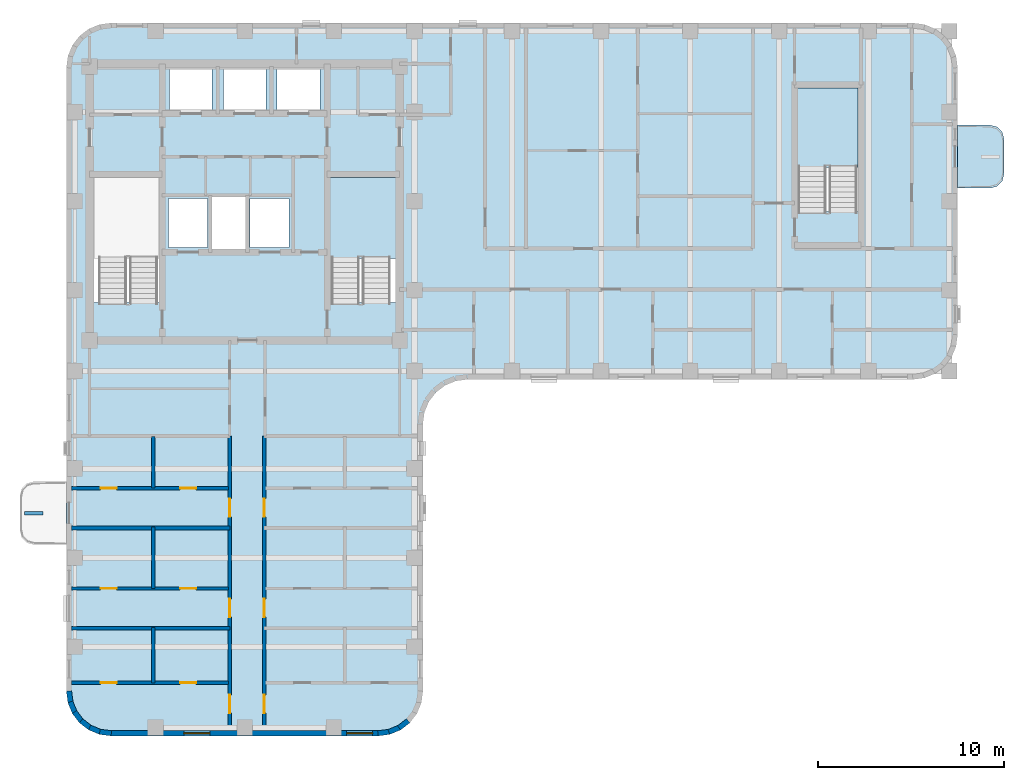
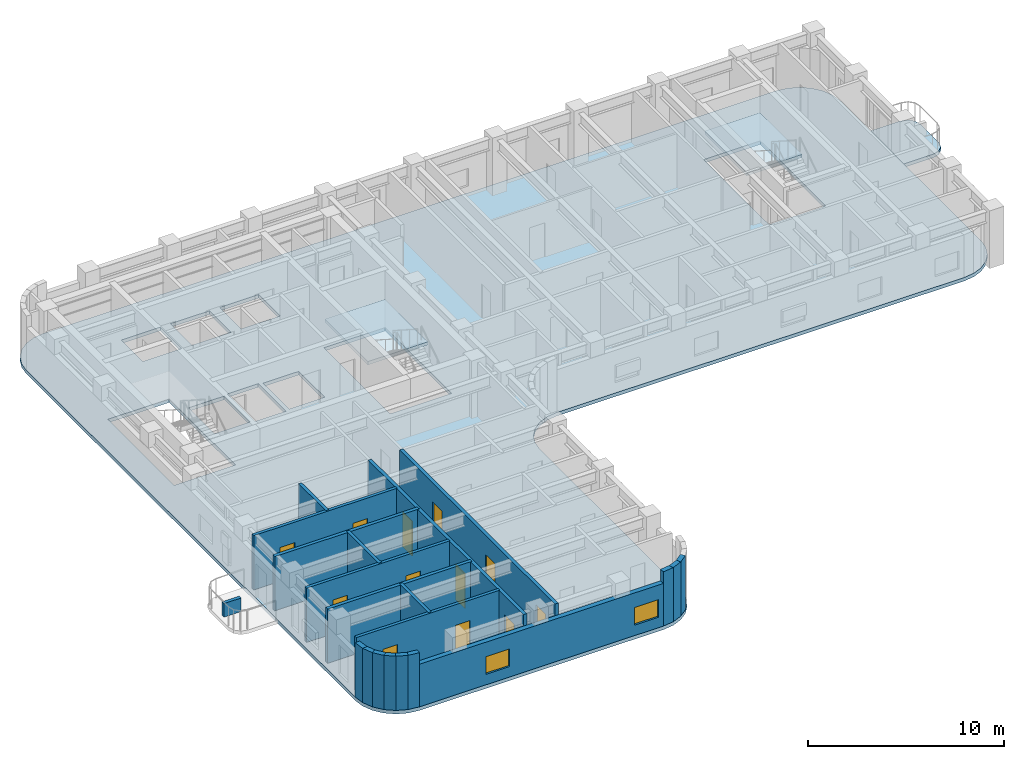
# One storey, part 2 of 10: 21 walls, 12 doors, 4 slabs, 2 windows, 14 openings, 2 elements without a shape of their own.
"""IFC4 building model written with IfcOpenShell, lengths in metres."""

from ifc_helpers import new_model, si_unit, direction, frame, frame_2d, origin, place, context, subcontext, project, spatial, polyline, rectangle, outline, extrude, material, layer, layer_set, type_object, element, fill, aggregate, save


model = new_model("IFC4")

# Units and contexts
model_context = context("Model", 3, precision=1e-05, world=origin(), true_north=direction((0.0, 1.0)))
body_context = subcontext(model_context, "Body", "Model", "MODEL_VIEW")
ifc_project = project(units=[si_unit("LENGTHUNIT", "METRE"), si_unit("AREAUNIT", "SQUARE_METRE"), si_unit("VOLUMEUNIT", "CUBIC_METRE"), si_unit("PLANEANGLEUNIT", "RADIAN"), si_unit("MASSUNIT", "GRAM", prefix="KILO")], contexts=[model_context])

# Site, building, storey
site_placement = place(None, origin())
site = spatial("IfcSite", under=ifc_project, at=site_placement, CompositionType="ELEMENT")
building_placement = place(site_placement, origin())
building = spatial("IfcBuilding", under=site, at=building_placement, Name="Orvandelia Arch Residences", CompositionType="ELEMENT")
storey_placement = place(building_placement, frame((0.0, 0.0, 211.0)))
storey = spatial("IfcBuildingStorey", under=building, at=storey_placement, Name="L55", CompositionType="ELEMENT", Elevation=211.0)

# Slab
ifc_material_1 = material(Name="Precast concrete C40/50", Category="concrete")
ifc_layer_1 = layer(ifc_material_1, 0.219970703125, Name="Precast concrete C40/50", Category="concrete")
ifc_layer_set_1 = layer_set([ifc_layer_1], Name="Precast concrete C40/50")
slab_type_1 = type_object("IfcSlabType", Name="SLB-BAL-220", PredefinedType="USERDEFINED", material=ifc_layer_set_1)
slab_1_placement = place(storey_placement, frame((0.0, 0.0, -0.219970703125)))
element("IfcSlab", 1, at=slab_1_placement, inside=storey, type_object=slab_type_1, Name="Tree Balcony Cantilever Slab BAL-L55-E1", ObjectType="BALCONY", PredefinedType="USERDEFINED", context=body_context, shape_type="SweptSolid", body=[
    extrude(outline(polyline([(52.800048828125, 42.5), (52.800048828125, 39.10009765625), (54.550048828125, 39.10009765625), (54.925048828125, 39.200439453125), (55.199462890625, 39.47509765625), (55.300048828125, 39.85009765625), (55.300048828125, 41.75), (55.199462890625, 42.125), (54.925048828125, 42.3994140625), (54.550048828125, 42.5), (52.800048828125, 42.5)])), origin(), (0.0, 0.0, 1.0), 0.219970703125),
])

# Stair, slab
ifc_material_2 = material(Name="Concrete C40/50", Category="concrete")
stair_type = type_object("IfcStairType", Name="STAIR-RC-DOGLEG", PredefinedType="HALF_TURN_STAIR", material=ifc_material_2)
stair_1_placement = place(storey_placement, origin())
stair_1 = element("IfcStair", 2, at=stair_1_placement, inside=storey, type_object=stair_type, Name="L55 Protected Exit Stair ST-2", PredefinedType="HALF_TURN_STAIR")
ifc_layer_2 = layer(ifc_material_2, 0.219970703125, Name="Concrete C40/50", Category="concrete")
ifc_layer_set_2 = layer_set([ifc_layer_2], Name="Concrete C40/50")
slab_type_2 = type_object("IfcSlabType", Name="SLB-LANDING-220", PredefinedType="LANDING", material=ifc_layer_set_2)
slab_2_placement = place(storey_placement, frame((0.0, 0.0, 1.60009765625)))
slab_2 = element("IfcSlab", 3, at=slab_2_placement, type_object=slab_type_2, Name="ST-2 landing 1", PredefinedType="LANDING", context=body_context, shape_type="SweptSolid", body=[
    extrude(outline(polyline([(22.5400390625, 35.31005859375), (22.5400390625, 39.68994140625), (19.0, 39.68994140625), (19.0, 35.31005859375), (22.5400390625, 35.31005859375)])), origin(), (0.0, 0.0, 1.0), 0.199951171875),
])
aggregate(stair_1, [slab_2])

stair_2_placement = place(storey_placement, origin())
stair_2 = element("IfcStair", 4, at=stair_2_placement, inside=storey, type_object=stair_type, Name="L55 East Wing Exit Stair ST-3", PredefinedType="HALF_TURN_STAIR")
slab_3_placement = place(storey_placement, frame((0.0, 0.0, 1.60009765625)))
slab_3 = element("IfcSlab", 5, at=slab_3_placement, type_object=slab_type_2, Name="ST-3 landing 1", PredefinedType="LANDING", context=body_context, shape_type="SweptSolid", body=[
    extrude(outline(polyline([(47.43994140625, 40.2099609375), (47.43994140625, 44.5), (44.179931640625, 44.5), (44.179931640625, 40.2099609375), (47.43994140625, 40.2099609375)])), origin(), (0.0, 0.0, 1.0), 0.199951171875),
])
aggregate(stair_2, [slab_3])

# Slab
ifc_layer_3 = layer(ifc_material_2, 0.219970703125, Name="Concrete C40/50", Category="concrete")
ifc_layer_set_3 = layer_set([ifc_layer_3], Name="Concrete C40/50")
slab_type_3 = type_object("IfcSlabType", Name="SLB-TWR-220", PredefinedType="FLOOR", material=ifc_layer_set_3)
slab_4_placement = place(storey_placement, frame((0.0, 0.0, -0.219970703125)))
element("IfcSlab", 6, at=slab_4_placement, inside=storey, type_object=slab_type_3, Name="Structural Floor Slab L55-1", PredefinedType="FLOOR", context=body_context, shape_type="SweptSolid", body=[
    extrude(outline(polyline([(4.800048828125, 12.0), (4.8818359375, 11.37890625), (5.12158203125, 10.800048828125), (5.5029296875, 10.302978515625), (6.0, 9.92138671875), (6.578857421875, 9.681884765625), (7.199951171875, 9.60009765625), (21.60009765625, 9.60009765625), (22.22119140625, 9.681884765625), (22.800048828125, 9.92138671875), (23.297119140625, 10.302978515625), (23.678466796875, 10.800048828125), (23.918212890625, 11.37890625), (24.0, 12.0), (24.0, 26.39990234375), (24.081787109375, 27.021240234375), (24.321533203125, 27.60009765625), (24.702880859375, 28.09716796875), (25.199951171875, 28.478515625), (25.77880859375, 28.71826171875), (26.39990234375, 28.800048828125), (50.39990234375, 28.800048828125), (51.021240234375, 28.8818359375), (51.60009765625, 29.12158203125), (52.09716796875, 29.5029296875), (52.478515625, 30.0), (52.71826171875, 30.578857421875), (52.800048828125, 31.199951171875), (52.800048828125, 45.60009765625), (52.71826171875, 46.22119140625), (52.478515625, 46.800048828125), (52.09716796875, 47.297119140625), (51.60009765625, 47.678466796875), (51.021240234375, 47.918212890625), (50.39990234375, 48.0), (7.199951171875, 48.0), (6.578857421875, 47.918212890625), (6.0, 47.678466796875), (5.5029296875, 47.297119140625), (5.12158203125, 46.800048828125), (4.8818359375, 46.22119140625), (4.800048828125, 45.60009765625), (4.800048828125, 12.0)]), holes=[polyline([(6.219970703125, 32.949951171875), (9.840087890625, 32.949951171875), (9.840087890625, 39.72998046875), (6.219970703125, 39.72998046875), (6.219970703125, 32.949951171875)]), polyline([(18.9599609375, 32.949951171875), (22.580078125, 32.949951171875), (22.580078125, 39.72998046875), (18.9599609375, 39.72998046875), (18.9599609375, 32.949951171875)]), polyline([(44.139892578125, 37.85009765625), (47.47998046875, 37.85009765625), (47.47998046875, 44.5400390625), (44.139892578125, 44.5400390625), (44.139892578125, 37.85009765625)]), polyline([(12.639892578125, 35.81005859375), (14.4599609375, 35.81005859375), (14.4599609375, 38.639892578125), (12.639892578125, 38.639892578125), (12.639892578125, 35.81005859375)]), polyline([(10.300048828125, 35.89990234375), (12.39990234375, 35.89990234375), (12.39990234375, 38.550048828125), (10.300048828125, 38.550048828125), (10.300048828125, 35.89990234375)]), polyline([(14.699951171875, 35.89990234375), (16.800048828125, 35.89990234375), (16.800048828125, 38.550048828125), (14.699951171875, 38.550048828125), (14.699951171875, 35.89990234375)]), polyline([(10.35009765625, 43.300048828125), (12.64990234375, 43.300048828125), (12.64990234375, 45.5), (10.35009765625, 45.5), (10.35009765625, 43.300048828125)]), polyline([(13.25, 43.300048828125), (15.550048828125, 43.300048828125), (15.550048828125, 45.5), (13.25, 45.5), (13.25, 43.300048828125)]), polyline([(16.14990234375, 43.300048828125), (18.449951171875, 43.300048828125), (18.449951171875, 45.5), (16.14990234375, 45.5), (16.14990234375, 43.300048828125)])]), origin(), (0.0, 0.0, 1.0), 0.219970703125),
])

# Wall, openings, doors
ifc_material_3 = material(Name="Fire-Rated Corridor Partition")
ifc_layer_4 = layer(ifc_material_3, 0.199951171875, Name="Fire-Rated Corridor Partition")
ifc_layer_set_4 = layer_set([ifc_layer_4], Name="Fire-Rated Corridor Partition")
wall_type_1 = type_object("IfcWallType", Name="WL-CORR-200", PredefinedType="PARTITIONING", material=ifc_layer_set_4)
wall_1_placement = place(storey_placement, frame((13.60009765625, 9.8798828125, 0.0), z_axis=(0.0, 0.0, 1.0), x_axis=(0.0, 1.0, 0.0)))
wall_1 = element("IfcWall", 7, at=wall_1_placement, inside=storey, type_object=wall_type_1, Name="Interior Partition Wall WL-L55-WC-W", PredefinedType="PARTITIONING", context=body_context, shape_type="SweptSolid", body=[
    extrude(rectangle(XDim=15.8701171875, YDim=0.199951171875, at=frame_2d((7.93505859375, 0.0))), origin(), (0.0, 0.0, 1.0), 3.3798828125),
])
opening_1_placement = place(wall_1_placement, frame((0.948974609375, 0.0, 0.0)))
opening_1 = element("IfcOpeningElement", 8, at=opening_1_placement, cuts=wall_1, Name="Opening D1", PredefinedType="OPENING", context=body_context, shape_type="SweptSolid", body=[
    extrude(rectangle(XDim=0.97998046875, YDim=2.179931640625, at=frame_2d((0.489990234375, 1.08984375))), frame((0.0, 0.10986328125, 0.0), z_axis=(0.0, -1.0, 0.0), x_axis=(1.0, 0.0, 0.0)), (0.0, 0.0, 1.0), 0.219970703125),
])
opening_2_placement = place(wall_1_placement, frame((6.1201171875, 0.0, 0.0)))
opening_2 = element("IfcOpeningElement", 9, at=opening_2_placement, cuts=wall_1, Name="Opening D1", PredefinedType="OPENING", context=body_context, shape_type="SweptSolid", body=[
    extrude(rectangle(XDim=0.97998046875, YDim=2.179931640625, at=frame_2d((0.489990234375, 1.08984375))), frame((0.0, 0.10986328125, 0.0), z_axis=(0.0, -1.0, 0.0), x_axis=(1.0, 0.0, 0.0)), (0.0, 0.0, 1.0), 0.219970703125),
])
opening_3_placement = place(wall_1_placement, frame((11.52001953125, 0.0, 0.0)))
opening_3 = element("IfcOpeningElement", 10, at=opening_3_placement, cuts=wall_1, Name="Opening D1", PredefinedType="OPENING", context=body_context, shape_type="SweptSolid", body=[
    extrude(rectangle(XDim=0.97998046875, YDim=2.179931640625, at=frame_2d((0.489990234375, 1.08984375))), frame((0.0, 0.10986328125, 0.0), z_axis=(0.0, -1.0, 0.0), x_axis=(1.0, 0.0, 0.0)), (0.0, 0.0, 1.0), 0.219970703125),
])
ifc_material_4 = material(Name="Solid-Core Timber Acoustic Fire Door", Category="wood")
door_type_1 = type_object("IfcDoorType", Name="DR-ENT-980", OperationType="NOTDEFINED", PredefinedType="DOOR", material=ifc_material_4)
door_1_placement = place(opening_1_placement, origin())
door_1 = element("IfcDoor", 11, at=door_1_placement, inside=storey, type_object=door_type_1, Name="Unit L55-01 Entrance Door", OperationType="SINGLE_SWING_LEFT", OverallHeight=2.179931640625, OverallWidth=0.97998046875, PredefinedType="DOOR", context=body_context, shape_type="SweptSolid", body=[
    extrude(rectangle(XDim=0.97998046875, YDim=2.179931640625, at=frame_2d((0.489990234375, 1.08984375))), frame((0.0, 0.02490234375, 0.0), z_axis=(0.0, -1.0, 0.0), x_axis=(1.0, 0.0, 0.0)), (0.0, 0.0, 1.0), 0.050048828125),
])
fill(opening_1, door_1)
door_2_placement = place(opening_2_placement, origin())
door_2 = element("IfcDoor", 12, at=door_2_placement, inside=storey, type_object=door_type_1, Name="Unit L55-02 Entrance Door", OperationType="SINGLE_SWING_RIGHT", OverallHeight=2.179931640625, OverallWidth=0.97998046875, PredefinedType="DOOR", context=body_context, shape_type="SweptSolid", body=[
    extrude(rectangle(XDim=0.97998046875, YDim=2.179931640625, at=frame_2d((0.489990234375, 1.08984375))), frame((0.0, 0.02490234375, 0.0), z_axis=(0.0, -1.0, 0.0), x_axis=(1.0, 0.0, 0.0)), (0.0, 0.0, 1.0), 0.050048828125),
])
fill(opening_2, door_2)
door_3_placement = place(opening_3_placement, origin())
door_3 = element("IfcDoor", 13, at=door_3_placement, inside=storey, type_object=door_type_1, Name="Unit L55-03 Entrance Door", OperationType="SINGLE_SWING_LEFT", OverallHeight=2.179931640625, OverallWidth=0.97998046875, PredefinedType="DOOR", context=body_context, shape_type="SweptSolid", body=[
    extrude(rectangle(XDim=0.97998046875, YDim=2.179931640625, at=frame_2d((0.489990234375, 1.08984375))), frame((0.0, 0.02490234375, 0.0), z_axis=(0.0, -1.0, 0.0), x_axis=(1.0, 0.0, 0.0)), (0.0, 0.0, 1.0), 0.050048828125),
])
fill(opening_3, door_3)

wall_2_placement = place(storey_placement, frame((15.449951171875, 9.8798828125, 0.0), z_axis=(0.0, 0.0, 1.0), x_axis=(0.0, 1.0, 0.0)))
wall_2 = element("IfcWall", 14, at=wall_2_placement, inside=storey, type_object=wall_type_1, Name="Interior Partition Wall WL-L55-WC-E", PredefinedType="PARTITIONING", context=body_context, shape_type="SweptSolid", body=[
    extrude(rectangle(XDim=15.8701171875, YDim=0.199951171875, at=frame_2d((7.93505859375, 0.0))), origin(), (0.0, 0.0, 1.0), 3.3798828125),
])
opening_4_placement = place(wall_2_placement, frame((0.948974609375, 0.0, 0.0)))
opening_4 = element("IfcOpeningElement", 15, at=opening_4_placement, cuts=wall_2, Name="Opening D1", PredefinedType="OPENING", context=body_context, shape_type="SweptSolid", body=[
    extrude(rectangle(XDim=0.97998046875, YDim=2.179931640625, at=frame_2d((0.489990234375, 1.08984375))), frame((0.0, 0.10986328125, 0.0), z_axis=(0.0, -1.0, 0.0), x_axis=(1.0, 0.0, 0.0)), (0.0, 0.0, 1.0), 0.219970703125),
])
opening_5_placement = place(wall_2_placement, frame((6.1201171875, 0.0, 0.0)))
opening_5 = element("IfcOpeningElement", 16, at=opening_5_placement, cuts=wall_2, Name="Opening D1", PredefinedType="OPENING", context=body_context, shape_type="SweptSolid", body=[
    extrude(rectangle(XDim=0.97998046875, YDim=2.179931640625, at=frame_2d((0.489990234375, 1.08984375))), frame((0.0, 0.10986328125, 0.0), z_axis=(0.0, -1.0, 0.0), x_axis=(1.0, 0.0, 0.0)), (0.0, 0.0, 1.0), 0.219970703125),
])
opening_6_placement = place(wall_2_placement, frame((11.52001953125, 0.0, 0.0)))
opening_6 = element("IfcOpeningElement", 17, at=opening_6_placement, cuts=wall_2, Name="Opening D1", PredefinedType="OPENING", context=body_context, shape_type="SweptSolid", body=[
    extrude(rectangle(XDim=0.97998046875, YDim=2.179931640625, at=frame_2d((0.489990234375, 1.08984375))), frame((0.0, 0.10986328125, 0.0), z_axis=(0.0, -1.0, 0.0), x_axis=(1.0, 0.0, 0.0)), (0.0, 0.0, 1.0), 0.219970703125),
])
door_4_placement = place(opening_4_placement, origin())
door_4 = element("IfcDoor", 18, at=door_4_placement, inside=storey, type_object=door_type_1, Name="Unit L55-04 Entrance Door", OperationType="SINGLE_SWING_RIGHT", OverallHeight=2.179931640625, OverallWidth=0.97998046875, PredefinedType="DOOR", context=body_context, shape_type="SweptSolid", body=[
    extrude(rectangle(XDim=0.97998046875, YDim=2.179931640625, at=frame_2d((0.489990234375, 1.08984375))), frame((0.0, 0.02490234375, 0.0), z_axis=(0.0, -1.0, 0.0), x_axis=(1.0, 0.0, 0.0)), (0.0, 0.0, 1.0), 0.050048828125),
])
fill(opening_4, door_4)
door_5_placement = place(opening_5_placement, origin())
door_5 = element("IfcDoor", 19, at=door_5_placement, inside=storey, type_object=door_type_1, Name="Unit L55-05 Entrance Door", OperationType="SINGLE_SWING_LEFT", OverallHeight=2.179931640625, OverallWidth=0.97998046875, PredefinedType="DOOR", context=body_context, shape_type="SweptSolid", body=[
    extrude(rectangle(XDim=0.97998046875, YDim=2.179931640625, at=frame_2d((0.489990234375, 1.08984375))), frame((0.0, 0.02490234375, 0.0), z_axis=(0.0, -1.0, 0.0), x_axis=(1.0, 0.0, 0.0)), (0.0, 0.0, 1.0), 0.050048828125),
])
fill(opening_5, door_5)
door_6_placement = place(opening_6_placement, origin())
door_6 = element("IfcDoor", 20, at=door_6_placement, inside=storey, type_object=door_type_1, Name="Unit L55-06 Entrance Door", OperationType="SINGLE_SWING_RIGHT", OverallHeight=2.179931640625, OverallWidth=0.97998046875, PredefinedType="DOOR", context=body_context, shape_type="SweptSolid", body=[
    extrude(rectangle(XDim=0.97998046875, YDim=2.179931640625, at=frame_2d((0.489990234375, 1.08984375))), frame((0.0, 0.02490234375, 0.0), z_axis=(0.0, -1.0, 0.0), x_axis=(1.0, 0.0, 0.0)), (0.0, 0.0, 1.0), 0.050048828125),
])
fill(opening_6, door_6)

# Walls
ifc_layer_5 = layer(ifc_material_2, 0.199951171875, Name="Concrete C40/50", Category="concrete")
ifc_layer_set_5 = layer_set([ifc_layer_5], Name="Concrete C40/50")
wall_type_2 = type_object("IfcWallType", Name="WL-DEM-200", PredefinedType="SOLIDWALL", material=ifc_layer_set_5)
for number, where, z_axis, x_axis, name in (
    (21, (5.080078125, 15.39990234375, 0.0), (0.0, 0.0, 1.0), (1.0, 0.0, 0.0), "Interior Partition Wall WL-L55-DEM-WL-154"),
    (22, (5.080078125, 20.800048828125, 0.0), (0.0, 0.0, 1.0), (1.0, 0.0, 0.0), "Interior Partition Wall WL-L55-DEM-WL-208"),
):
    element("IfcWall", number, at=place(storey_placement, frame(where, z_axis=z_axis, x_axis=x_axis)), inside=storey, type_object=wall_type_2, Name=name, PredefinedType="SOLIDWALL", context=body_context, shape_type="SweptSolid", body=[
        extrude(rectangle(XDim=8.52001953125, YDim=0.199951171875, at=frame_2d((4.260009765625, 0.0))), origin(), (0.0, 0.0, 1.0), 3.3798828125),
    ])
ifc_layer_6 = layer(ifc_material_1, 0.280029296875, Name="Precast concrete C40/50", Category="concrete")
ifc_layer_set_6 = layer_set([ifc_layer_6], Name="Precast concrete C40/50")
wall_type_3 = type_object("IfcWallType", Name="WL-EXT-STONE-280", PredefinedType="STANDARD", material=ifc_layer_set_6)
for number, where, z_axis, x_axis, name in (
    (23, (23.2119140625, 10.4140625, 0.0), (0.0, 0.0, 1.0), (-0.793405610854, -0.608693302629, 0.0), "Coral-Limestone Precast Facade Wall L55-032"),
    (24, (22.746337890625, 10.05078125, 0.0), (0.0, 0.0, 1.0), (-0.92389335771, -0.382650053678, 0.0), "Coral-Limestone Precast Facade Wall L55-033"),
    (25, (22.202880859375, 9.820556640625, 0.0), (0.0, 0.0, 1.0), (-0.9914410257, -0.130555323746, 0.0), "Coral-Limestone Precast Facade Wall L55-034"),
):
    element("IfcWall", number, at=place(storey_placement, frame(where, z_axis=z_axis, x_axis=x_axis)), inside=storey, type_object=wall_type_3, Name=name, PredefinedType="STANDARD", context=body_context, shape_type="SweptSolid", body=[
        extrude(rectangle(XDim=0.62646484375, YDim=0.280029296875, at=frame_2d((0.313232421875, 0.0))), origin(), (0.0, 0.0, 1.0), 3.3798828125),
    ])

# Wall, openings, windows
wall_3_placement = place(storey_placement, frame((21.60009765625, 9.739990234375, 0.0), z_axis=(0.0, 0.0, 1.0), x_axis=(-1.0, 0.0, 0.0)))
wall_3 = element("IfcWall", 26, at=wall_3_placement, inside=storey, type_object=wall_type_3, Name="Coral-Limestone Precast Facade Wall L55-035", PredefinedType="STANDARD", context=body_context, shape_type="SweptSolid", body=[
    extrude(rectangle(XDim=14.400146484375, YDim=0.280029296875, at=frame_2d((7.2001953125, 0.0))), origin(), (0.0, 0.0, 1.0), 2.659912109375),
])
opening_7_placement = place(wall_3_placement, frame((9.077392578125, 0.0, 0.64990234375)))
opening_7 = element("IfcOpeningElement", 27, at=opening_7_placement, cuts=wall_3, Name="Opening W10", PredefinedType="OPENING", context=body_context, shape_type="SweptSolid", body=[
    extrude(rectangle(XDim=1.39990234375, YDim=1.10009765625, at=frame_2d((0.699951171875, 0.550048828125))), frame((0.0, 0.14990234375, 0.0), z_axis=(0.0, -1.0, 0.0), x_axis=(1.0, 0.0, 0.0)), (0.0, 0.0, 1.0), 0.300048828125),
])
opening_8_placement = place(wall_3_placement, frame((0.3076171875, 0.0, 0.64990234375)))
opening_8 = element("IfcOpeningElement", 28, at=opening_8_placement, cuts=wall_3, Name="Opening W10", PredefinedType="OPENING", context=body_context, shape_type="SweptSolid", body=[
    extrude(rectangle(XDim=1.39990234375, YDim=1.10009765625, at=frame_2d((0.699951171875, 0.550048828125))), frame((0.0, 0.14990234375, 0.0), z_axis=(0.0, -1.0, 0.0), x_axis=(1.0, 0.0, 0.0)), (0.0, 0.0, 1.0), 0.300048828125),
])
ifc_material_5 = material(Name="Tempered Low-E Insulated Glazing", Category="glass")
window_type = type_object("IfcWindowType", Name="WIN-CLR-1400x1100", PartitioningType="SINGLE_PANEL", PredefinedType="WINDOW", material=ifc_material_5)
window_1_placement = place(opening_7_placement, origin())
window_1 = element("IfcWindow", 29, at=window_1_placement, inside=storey, type_object=window_type, Name="Recessed Punched Window L55-022", OverallHeight=1.10009765625, OverallWidth=1.39990234375, PartitioningType="SINGLE_PANEL", PredefinedType="WINDOW", context=body_context, shape_type="SweptSolid", body=[
    extrude(rectangle(XDim=1.39990234375, YDim=1.10009765625, at=frame_2d((0.699951171875, 0.550048828125))), frame((0.0, 0.030029296875, 0.0), z_axis=(0.0, -1.0, 0.0), x_axis=(1.0, 0.0, 0.0)), (0.0, 0.0, 1.0), 0.06005859375),
])
fill(opening_7, window_1)
window_2_placement = place(opening_8_placement, origin())
window_2 = element("IfcWindow", 30, at=window_2_placement, inside=storey, type_object=window_type, Name="Recessed Punched Window L55-023", OverallHeight=1.10009765625, OverallWidth=1.39990234375, PartitioningType="SINGLE_PANEL", PredefinedType="WINDOW", context=body_context, shape_type="SweptSolid", body=[
    extrude(rectangle(XDim=1.39990234375, YDim=1.10009765625, at=frame_2d((0.699951171875, 0.550048828125))), frame((0.0, 0.030029296875, 0.0), z_axis=(0.0, -1.0, 0.0), x_axis=(1.0, 0.0, 0.0)), (0.0, 0.0, 1.0), 0.06005859375),
])
fill(opening_8, window_2)

# Walls
wall_4_placement = place(storey_placement, frame((7.21826171875, 9.73876953125, 0.0), z_axis=(0.0, 0.0, 1.0), x_axis=(-0.9914410257, 0.130555323746, 0.0)))
element("IfcWall", 31, at=wall_4_placement, inside=storey, type_object=wall_type_3, Name="Coral-Limestone Precast Facade Wall L55-036", PredefinedType="STANDARD", context=body_context, shape_type="SweptSolid", body=[
    extrude(rectangle(XDim=0.62646484375, YDim=0.280029296875, at=frame_2d((0.313232421875, 0.0))), origin(), (0.0, 0.0, 1.0), 3.3798828125),
])
wall_5_placement = place(storey_placement, frame((6.63232421875, 9.81103515625, 0.0), z_axis=(0.0, 0.0, 1.0), x_axis=(-0.923836271867, 0.382787856107, 0.0)))
element("IfcWall", 32, at=wall_5_placement, inside=storey, type_object=wall_type_3, Name="Coral-Limestone Precast Facade Wall L55-037", PredefinedType="STANDARD", context=body_context, shape_type="SweptSolid", body=[
    extrude(rectangle(XDim=0.626220703125, YDim=0.280029296875, at=frame_2d((0.31298828125, 0.0))), origin(), (0.0, 0.0, 1.0), 3.3798828125),
])
for number, where, z_axis, x_axis, name in (
    (33, (6.085205078125, 10.03271484375, 0.0), (0.0, 0.0, 1.0), (-0.793405610854, 0.608693302629, 0.0), "Coral-Limestone Precast Facade Wall L55-038"),
    (34, (5.614013671875, 10.38818359375, 0.0), (0.0, 0.0, 1.0), (-0.608693302629, 0.793405610854, 0.0), "Coral-Limestone Precast Facade Wall L55-039"),
    (35, (5.250732421875, 10.853515625, 0.0), (0.0, 0.0, 1.0), (-0.382650053678, 0.92389335771, 0.0), "Coral-Limestone Precast Facade Wall L55-040"),
    (36, (5.0205078125, 11.397216796875, 0.0), (0.0, 0.0, 1.0), (-0.130555323746, 0.9914410257, 0.0), "Coral-Limestone Precast Facade Wall L55-041"),
):
    element("IfcWall", number, at=place(storey_placement, frame(where, z_axis=z_axis, x_axis=x_axis)), inside=storey, type_object=wall_type_3, Name=name, PredefinedType="STANDARD", context=body_context, shape_type="SweptSolid", body=[
        extrude(rectangle(XDim=0.62646484375, YDim=0.280029296875, at=frame_2d((0.313232421875, 0.0))), origin(), (0.0, 0.0, 1.0), 3.3798828125),
    ])
ifc_layer_7 = layer(ifc_material_1, 0.199951171875, Name="Precast concrete C40/50", Category="concrete")
ifc_layer_set_7 = layer_set([ifc_layer_7], Name="Precast concrete C40/50")
wall_type_4 = type_object("IfcWallType", Name="WL-PLANTER-200", PredefinedType="MOVABLE", material=ifc_layer_set_7)
wall_6_placement = place(storey_placement, frame((2.550048828125, 21.60009765625, 0.0), z_axis=(0.0, 0.0, 1.0), x_axis=(1.0, 0.0, 0.0)))
element("IfcWall", 37, at=wall_6_placement, inside=storey, type_object=wall_type_4, Name="Balcony Precast Tree Planter BAL-L55-W1", PredefinedType="MOVABLE", context=body_context, shape_type="SweptSolid", body=[
    extrude(rectangle(XDim=1.0, YDim=0.199951171875, at=frame_2d((0.5, 0.0))), origin(), (0.0, 0.0, 1.0), 0.85009765625),
])

# Wall, openings, doors
ifc_material_6 = material(Name="Moisture-Resistant Plumbing Wall")
ifc_layer_8 = layer(ifc_material_6, 0.179931640625, Name="Moisture-Resistant Plumbing Wall")
ifc_layer_set_8 = layer_set([ifc_layer_8], Name="Moisture-Resistant Plumbing Wall")
wall_type_5 = type_object("IfcWallType", Name="WL-WET-180", PredefinedType="PLUMBINGWALL", material=ifc_layer_set_8)
wall_7_placement = place(storey_placement, frame((5.080078125, 12.4580078125, 0.0), z_axis=(0.0, 0.0, 1.0), x_axis=(1.0, 0.0, 0.0)))
wall_7 = element("IfcWall", 38, at=wall_7_placement, inside=storey, type_object=wall_type_5, Name="Interior Partition Wall WL-L55-U01-HZ", PredefinedType="PLUMBINGWALL", context=body_context, shape_type="SweptSolid", body=[
    extrude(rectangle(XDim=8.4599609375, YDim=0.179931640625, at=frame_2d((4.22998046875, 0.0))), origin(), (0.0, 0.0, 1.0), 3.3798828125),
])
opening_9_placement = place(wall_7_placement, frame((1.56005859375, 0.0, 0.0)))
opening_9 = element("IfcOpeningElement", 39, at=opening_9_placement, cuts=wall_7, Name="Opening D4", PredefinedType="OPENING", context=body_context, shape_type="SweptSolid", body=[
    extrude(rectangle(XDim=0.860107421875, YDim=2.10009765625, at=frame_2d((0.43017578125, 1.050048828125))), frame((0.0, 0.10009765625, 0.0), z_axis=(0.0, -1.0, 0.0), x_axis=(1.0, 0.0, 0.0)), (0.0, 0.0, 1.0), 0.199951171875),
])
opening_10_placement = place(wall_7_placement, frame((5.85009765625, 0.0, 0.0)))
opening_10 = element("IfcOpeningElement", 40, at=opening_10_placement, cuts=wall_7, Name="Opening D4", PredefinedType="OPENING", context=body_context, shape_type="SweptSolid", body=[
    extrude(rectangle(XDim=0.860107421875, YDim=2.10009765625, at=frame_2d((0.43017578125, 1.050048828125))), frame((0.0, 0.10009765625, 0.0), z_axis=(0.0, -1.0, 0.0), x_axis=(1.0, 0.0, 0.0)), (0.0, 0.0, 1.0), 0.199951171875),
])
ifc_material_7 = material(Name="Moisture-Sealed Timber Bathroom Door", Category="wood")
door_type_2 = type_object("IfcDoorType", Name="DR-WET-900", OperationType="NOTDEFINED", PredefinedType="DOOR", material=ifc_material_7)
door_7_placement = place(opening_9_placement, origin())
door_7 = element("IfcDoor", 41, at=door_7_placement, inside=storey, type_object=door_type_2, Name="DR-L55-U01-KIT", OperationType="SINGLE_SWING_LEFT", OverallHeight=2.10009765625, OverallWidth=0.860107421875, PredefinedType="DOOR", context=body_context, shape_type="SweptSolid", body=[
    extrude(rectangle(XDim=0.860107421875, YDim=2.10009765625, at=frame_2d((0.43017578125, 1.050048828125))), frame((0.0, 0.02490234375, 0.0), z_axis=(0.0, -1.0, 0.0), x_axis=(1.0, 0.0, 0.0)), (0.0, 0.0, 1.0), 0.050048828125),
])
fill(opening_9, door_7)
door_8_placement = place(opening_10_placement, origin())
door_8 = element("IfcDoor", 42, at=door_8_placement, inside=storey, type_object=door_type_2, Name="DR-L55-U01-BTH", OperationType="SINGLE_SWING_RIGHT", OverallHeight=2.10009765625, OverallWidth=0.860107421875, PredefinedType="DOOR", context=body_context, shape_type="SweptSolid", body=[
    extrude(rectangle(XDim=0.860107421875, YDim=2.10009765625, at=frame_2d((0.43017578125, 1.050048828125))), frame((0.0, 0.02490234375, 0.0), z_axis=(0.0, -1.0, 0.0), x_axis=(1.0, 0.0, 0.0)), (0.0, 0.0, 1.0), 0.050048828125),
])
fill(opening_10, door_8)

# Wall
wall_8_placement = place(storey_placement, frame((9.469970703125, 12.4580078125, 0.0), z_axis=(0.0, 0.0, 1.0), x_axis=(0.0, 1.0, 0.0)))
element("IfcWall", 43, at=wall_8_placement, inside=storey, type_object=wall_type_5, Name="Interior Partition Wall WL-L55-U01-V1", PredefinedType="PLUMBINGWALL", context=body_context, shape_type="SweptSolid", body=[
    extrude(rectangle(XDim=2.98193359375, YDim=0.179931640625, at=frame_2d((1.490966796875, 0.0))), origin(), (0.0, 0.0, 1.0), 3.3798828125),
])

# Wall, openings, doors
wall_9_placement = place(storey_placement, frame((5.080078125, 17.5400390625, 0.0), z_axis=(0.0, 0.0, 1.0), x_axis=(1.0, 0.0, 0.0)))
wall_9 = element("IfcWall", 44, at=wall_9_placement, inside=storey, type_object=wall_type_5, Name="Interior Partition Wall WL-L55-U02-HZ", PredefinedType="PLUMBINGWALL", context=body_context, shape_type="SweptSolid", body=[
    extrude(rectangle(XDim=8.4599609375, YDim=0.179931640625, at=frame_2d((4.22998046875, 0.0))), origin(), (0.0, 0.0, 1.0), 3.3798828125),
])
opening_11_placement = place(wall_9_placement, frame((1.56005859375, 0.0, 0.0)))
opening_11 = element("IfcOpeningElement", 45, at=opening_11_placement, cuts=wall_9, Name="Opening D4", PredefinedType="OPENING", context=body_context, shape_type="SweptSolid", body=[
    extrude(rectangle(XDim=0.860107421875, YDim=2.10009765625, at=frame_2d((0.43017578125, 1.050048828125))), frame((0.0, 0.10009765625, 0.0), z_axis=(0.0, -1.0, 0.0), x_axis=(1.0, 0.0, 0.0)), (0.0, 0.0, 1.0), 0.199951171875),
])
opening_12_placement = place(wall_9_placement, frame((5.85009765625, 0.0, 0.0)))
opening_12 = element("IfcOpeningElement", 46, at=opening_12_placement, cuts=wall_9, Name="Opening D4", PredefinedType="OPENING", context=body_context, shape_type="SweptSolid", body=[
    extrude(rectangle(XDim=0.860107421875, YDim=2.10009765625, at=frame_2d((0.43017578125, 1.050048828125))), frame((0.0, 0.10009765625, 0.0), z_axis=(0.0, -1.0, 0.0), x_axis=(1.0, 0.0, 0.0)), (0.0, 0.0, 1.0), 0.199951171875),
])
door_9_placement = place(opening_11_placement, origin())
door_9 = element("IfcDoor", 47, at=door_9_placement, inside=storey, type_object=door_type_2, Name="DR-L55-U02-KIT", OperationType="SINGLE_SWING_RIGHT", OverallHeight=2.10009765625, OverallWidth=0.860107421875, PredefinedType="DOOR", context=body_context, shape_type="SweptSolid", body=[
    extrude(rectangle(XDim=0.860107421875, YDim=2.10009765625, at=frame_2d((0.43017578125, 1.050048828125))), frame((0.0, 0.02490234375, 0.0), z_axis=(0.0, -1.0, 0.0), x_axis=(1.0, 0.0, 0.0)), (0.0, 0.0, 1.0), 0.050048828125),
])
fill(opening_11, door_9)
door_10_placement = place(opening_12_placement, origin())
door_10 = element("IfcDoor", 48, at=door_10_placement, inside=storey, type_object=door_type_2, Name="DR-L55-U02-BTH", OperationType="SINGLE_SWING_LEFT", OverallHeight=2.10009765625, OverallWidth=0.860107421875, PredefinedType="DOOR", context=body_context, shape_type="SweptSolid", body=[
    extrude(rectangle(XDim=0.860107421875, YDim=2.10009765625, at=frame_2d((0.43017578125, 1.050048828125))), frame((0.0, 0.02490234375, 0.0), z_axis=(0.0, -1.0, 0.0), x_axis=(1.0, 0.0, 0.0)), (0.0, 0.0, 1.0), 0.050048828125),
])
fill(opening_12, door_10)

# Wall
wall_10_placement = place(storey_placement, frame((9.469970703125, 17.5400390625, 0.0), z_axis=(0.0, 0.0, 1.0), x_axis=(0.0, 1.0, 0.0)))
element("IfcWall", 49, at=wall_10_placement, inside=storey, type_object=wall_type_5, Name="Interior Partition Wall WL-L55-U02-V1", PredefinedType="PLUMBINGWALL", context=body_context, shape_type="SweptSolid", body=[
    extrude(rectangle(XDim=3.300048828125, YDim=0.179931640625, at=frame_2d((1.64990234375, 0.0))), origin(), (0.0, 0.0, 1.0), 3.3798828125),
])

# Wall, openings, doors
wall_11_placement = place(storey_placement, frame((5.080078125, 22.93994140625, 0.0), z_axis=(0.0, 0.0, 1.0), x_axis=(1.0, 0.0, 0.0)))
wall_11 = element("IfcWall", 50, at=wall_11_placement, inside=storey, type_object=wall_type_5, Name="Interior Partition Wall WL-L55-U03-HZ", PredefinedType="PLUMBINGWALL", context=body_context, shape_type="SweptSolid", body=[
    extrude(rectangle(XDim=8.4599609375, YDim=0.179931640625, at=frame_2d((4.22998046875, 0.0))), origin(), (0.0, 0.0, 1.0), 3.3798828125),
])
opening_13_placement = place(wall_11_placement, frame((1.56005859375, 0.0, 0.0)))
opening_13 = element("IfcOpeningElement", 51, at=opening_13_placement, cuts=wall_11, Name="Opening D4", PredefinedType="OPENING", context=body_context, shape_type="SweptSolid", body=[
    extrude(rectangle(XDim=0.860107421875, YDim=2.10009765625, at=frame_2d((0.43017578125, 1.050048828125))), frame((0.0, 0.10009765625, 0.0), z_axis=(0.0, -1.0, 0.0), x_axis=(1.0, 0.0, 0.0)), (0.0, 0.0, 1.0), 0.199951171875),
])
opening_14_placement = place(wall_11_placement, frame((5.85009765625, 0.0, 0.0)))
opening_14 = element("IfcOpeningElement", 52, at=opening_14_placement, cuts=wall_11, Name="Opening D4", PredefinedType="OPENING", context=body_context, shape_type="SweptSolid", body=[
    extrude(rectangle(XDim=0.860107421875, YDim=2.10009765625, at=frame_2d((0.43017578125, 1.050048828125))), frame((0.0, 0.10009765625, 0.0), z_axis=(0.0, -1.0, 0.0), x_axis=(1.0, 0.0, 0.0)), (0.0, 0.0, 1.0), 0.199951171875),
])
door_11_placement = place(opening_13_placement, origin())
door_11 = element("IfcDoor", 53, at=door_11_placement, inside=storey, type_object=door_type_2, Name="DR-L55-U03-KIT", OperationType="SINGLE_SWING_LEFT", OverallHeight=2.10009765625, OverallWidth=0.860107421875, PredefinedType="DOOR", context=body_context, shape_type="SweptSolid", body=[
    extrude(rectangle(XDim=0.860107421875, YDim=2.10009765625, at=frame_2d((0.43017578125, 1.050048828125))), frame((0.0, 0.02490234375, 0.0), z_axis=(0.0, -1.0, 0.0), x_axis=(1.0, 0.0, 0.0)), (0.0, 0.0, 1.0), 0.050048828125),
])
fill(opening_13, door_11)
door_12_placement = place(opening_14_placement, origin())
door_12 = element("IfcDoor", 54, at=door_12_placement, inside=storey, type_object=door_type_2, Name="DR-L55-U03-BTH", OperationType="SINGLE_SWING_RIGHT", OverallHeight=2.10009765625, OverallWidth=0.860107421875, PredefinedType="DOOR", context=body_context, shape_type="SweptSolid", body=[
    extrude(rectangle(XDim=0.860107421875, YDim=2.10009765625, at=frame_2d((0.43017578125, 1.050048828125))), frame((0.0, 0.02490234375, 0.0), z_axis=(0.0, -1.0, 0.0), x_axis=(1.0, 0.0, 0.0)), (0.0, 0.0, 1.0), 0.050048828125),
])
fill(opening_14, door_12)

# Wall
wall_12_placement = place(storey_placement, frame((9.469970703125, 22.93994140625, 0.0), z_axis=(0.0, 0.0, 1.0), x_axis=(0.0, 1.0, 0.0)))
element("IfcWall", 55, at=wall_12_placement, inside=storey, type_object=wall_type_5, Name="Interior Partition Wall WL-L55-U03-V1", PredefinedType="PLUMBINGWALL", context=body_context, shape_type="SweptSolid", body=[
    extrude(rectangle(XDim=2.780029296875, YDim=0.179931640625, at=frame_2d((1.39013671875, 0.0))), origin(), (0.0, 0.0, 1.0), 3.3798828125),
])

save(model, "model.ifc")
